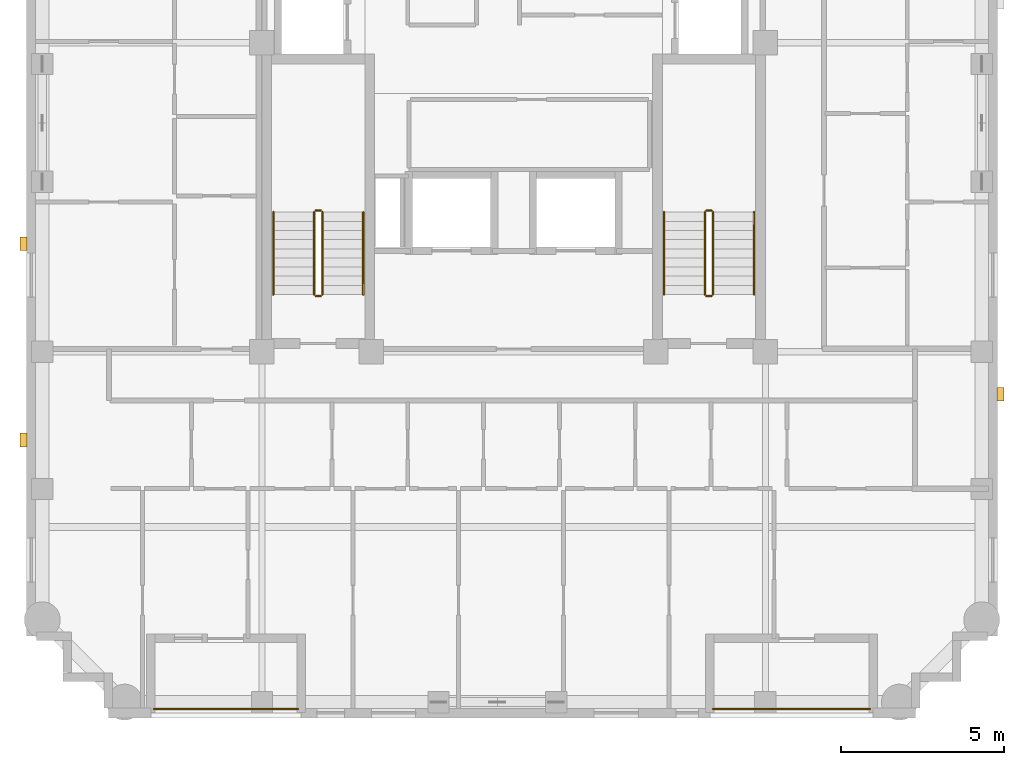
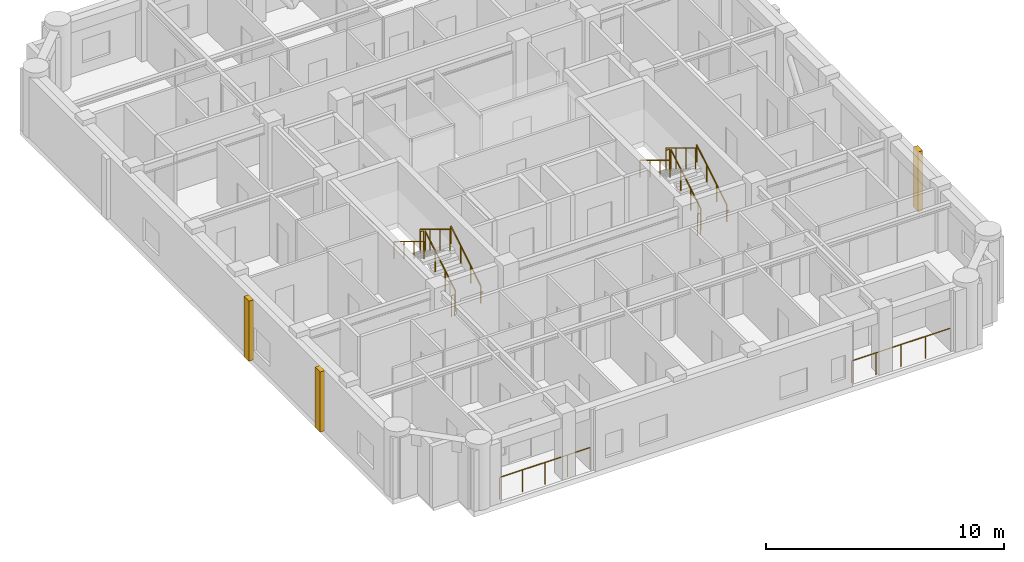
# One storey, part 10 of 11: 14 railings, 3 coverings.
"""IFC4 building model written with IfcOpenShell, lengths in metres."""

from ifc_helpers import new_model, si_unit, derived_unit, direction, frame, origin, origin_2d, place, context, subcontext, project, spatial, rectangle, circle, extrude, material, layer, layer_set, type_object, element, save


model = new_model("IFC4")

# Units and contexts
model_context = context("Model", 3, precision=1e-05, world=origin(), true_north=direction((0.0, 1.0)))
body_context = subcontext(model_context, "Body", "Model", "MODEL_VIEW")
ifc_project = project(units=[si_unit("LENGTHUNIT", "METRE"), si_unit("AREAUNIT", "SQUARE_METRE"), si_unit("VOLUMEUNIT", "CUBIC_METRE"), si_unit("PLANEANGLEUNIT", "RADIAN"), si_unit("MASSUNIT", "GRAM", prefix="KILO"), derived_unit("THERMALTRANSMITTANCEUNIT", [(si_unit("MASSUNIT", "GRAM", prefix="KILO"), 1), (si_unit("TIMEUNIT", "SECOND"), -3), (si_unit("THERMODYNAMICTEMPERATUREUNIT", "KELVIN"), -1)])], contexts=[model_context])

# Site, building, storey
site_placement = place(None, origin())
site = spatial("IfcSite", under=ifc_project, at=site_placement, CompositionType="ELEMENT")
building_placement = place(site_placement, origin())
building = spatial("IfcBuilding", under=site, at=building_placement, Name="Korrvale Station Residences", CompositionType="ELEMENT")
storey_placement = place(building_placement, frame((0.0, 0.0, 224.10009765625)))
storey = spatial("IfcBuildingStorey", under=building, at=storey_placement, Name="L65", CompositionType="ELEMENT", Elevation=224.10009765625)

# Coverings
ifc_material_1 = material(Name="Architectural precast concrete C45/55", Category="concrete")
ifc_layer = layer(ifc_material_1, 0.219970703125, Name="Architectural precast concrete C45/55")
ifc_layer_set = layer_set([ifc_layer], Name="Architectural precast concrete C45/55")
covering_type = type_object("IfcCoveringType", Name="COV-PIER-400", PredefinedType="CLADDING", material=ifc_layer_set)
for number, where, z_axis, x_axis, name in (
    (1, (10.510009765625, 12.300048828125, 0.02490234375), (0.0, 0.0, 1.0), (0.0, 1.0, 0.0), "L65 Architectural Precast Facade Pier 02"),
    (2, (10.510009765625, 18.300048828125, 0.02490234375), (0.0, 0.0, 1.0), (0.0, 1.0, 0.0), "L65 Architectural Precast Facade Pier 03"),
    (3, (40.389892578125, 13.699951171875, 0.02490234375), (0.0, 0.0, 1.0), (0.0, 1.0, 0.0), "L65 Architectural Precast Facade Pier 07"),
):
    element("IfcCovering", number, at=place(storey_placement, frame(where, z_axis=z_axis, x_axis=x_axis)), inside=storey, type_object=covering_type, Name=name, PredefinedType="CLADDING", context=body_context, shape_type="SweptSolid", body=[
        extrude(rectangle(XDim=0.419921875, YDim=0.219970703125, at=origin_2d()), origin(), (0.0, 0.0, 1.0), 3.090087890625),
    ])

# Railings
ifc_material_2 = material(Name="Powder-coated aluminium picket loggia guard", Category="aluminium")
railing_type_1 = type_object("IfcRailingType", Name="RLG-BAL-1150", PredefinedType="GUARDRAIL", material=ifc_material_2)
railing_1_placement = place(storey_placement, frame((31.60009765625, 4.070068359375, 0.0)))
element("IfcRailing", 4, at=railing_1_placement, inside=storey, type_object=railing_type_1, Name="L65 Recessed Loggia Guardrail BAL-L65-S2", PredefinedType="GUARDRAIL", context=body_context, shape_type="SweptSolid", body=[
    extrude(circle(Radius=0.02392578125, at=origin_2d()), frame((0.0, 0.0, 1.1259765625), z_axis=(1.0, 0.0, 0.0), x_axis=(0.0, 1.0, 0.0)), (0.0, 0.0, 1.0), 4.7998046875),
    extrude(circle(Radius=0.02099609375, at=origin_2d()), origin(), (0.0, 0.0, 1.0), 1.101806640625),
    extrude(circle(Radius=0.02099609375, at=origin_2d()), frame((1.199951171875, 0.0, 0.0)), (0.0, 0.0, 1.0), 1.101806640625),
    extrude(circle(Radius=0.02099609375, at=origin_2d()), frame((2.39990234375, 0.0, 0.0)), (0.0, 0.0, 1.0), 1.101806640625),
    extrude(circle(Radius=0.02099609375, at=origin_2d()), frame((3.599853515625, 0.0, 0.0)), (0.0, 0.0, 1.0), 1.101806640625),
    extrude(circle(Radius=0.02099609375, at=origin_2d()), frame((4.7998046875, 0.0, 0.0)), (0.0, 0.0, 1.0), 1.101806640625),
])
railing_2_placement = place(storey_placement, frame((14.5, 4.070068359375, 0.0)))
element("IfcRailing", 5, at=railing_2_placement, inside=storey, type_object=railing_type_1, Name="L65 Recessed Loggia Guardrail BAL-L65-S1", PredefinedType="GUARDRAIL", context=body_context, shape_type="SweptSolid", body=[
    extrude(circle(Radius=0.02392578125, at=origin_2d()), frame((0.0, 0.0, 1.1259765625), z_axis=(1.0, 0.0, 0.0), x_axis=(0.0, 1.0, 0.0)), (0.0, 0.0, 1.0), 4.39990234375),
    extrude(circle(Radius=0.02099609375, at=origin_2d()), origin(), (0.0, 0.0, 1.0), 1.101806640625),
    extrude(circle(Radius=0.02099609375, at=origin_2d()), frame((1.10009765625, 0.0, 0.0)), (0.0, 0.0, 1.0), 1.101806640625),
    extrude(circle(Radius=0.02099609375, at=origin_2d()), frame((2.199951171875, 0.0, 0.0)), (0.0, 0.0, 1.0), 1.101806640625),
    extrude(circle(Radius=0.02099609375, at=origin_2d()), frame((3.2998046875, 0.0, 0.0)), (0.0, 0.0, 1.0), 1.101806640625),
    extrude(circle(Radius=0.02099609375, at=origin_2d()), frame((4.39990234375, 0.0, 0.0)), (0.0, 0.0, 1.0), 1.101806640625),
])
ifc_material_3 = material(Name="Brushed stainless-steel continuous stair handrail", Category="steel")
railing_type_2 = type_object("IfcRailingType", Name="RLG-SHND-900", PredefinedType="HANDRAIL", material=ifc_material_3)
railing_3_placement = place(storey_placement, frame((20.89990234375, 16.75, 0.169921875)))
element("IfcRailing", 6, at=railing_3_placement, inside=storey, type_object=railing_type_2, Name="L65 ST-1 stair handrail 1", PredefinedType="HANDRAIL", context=body_context, shape_type="SweptSolid", body=[
    extrude(circle(Radius=0.02392578125, at=origin_2d()), frame((0.0, 0.0, 0.8759765625), z_axis=(0.0, 0.85478489116, 0.518982456201), x_axis=(-1.0, 0.0, 0.0)), (0.0, 0.0, 1.0), 2.9482421875),
    extrude(circle(Radius=0.02099609375, at=origin_2d()), origin(), (0.0, 0.0, 1.0), 0.851806640625),
    extrude(circle(Radius=0.02099609375, at=origin_2d()), frame((0.0, 0.840087890625, 0.510009765625)), (0.0, 0.0, 1.0), 0.851806640625),
    extrude(circle(Radius=0.02099609375, at=origin_2d()), frame((0.0, 1.679931640625, 1.02001953125)), (0.0, 0.0, 1.0), 0.851806640625),
    extrude(circle(Radius=0.02099609375, at=origin_2d()), frame((0.0, 2.52001953125, 1.530029296875)), (0.0, 0.0, 1.0), 0.851806640625),
])
railing_4_placement = place(storey_placement, frame((18.14990234375, 19.27001953125, 1.869873046875)))
element("IfcRailing", 7, at=railing_4_placement, inside=storey, type_object=railing_type_2, Name="L65 ST-1 stair handrail 2", PredefinedType="HANDRAIL", context=body_context, shape_type="SweptSolid", body=[
    extrude(circle(Radius=0.02392578125, at=origin_2d()), frame((0.0, 0.0, 0.8759765625), z_axis=(0.0, -0.85478489116, 0.518982456201), x_axis=(1.0, 0.0, 0.0)), (0.0, 0.0, 1.0), 2.9482421875),
    extrude(circle(Radius=0.02099609375, at=origin_2d()), origin(), (0.0, 0.0, 1.0), 0.851806640625),
    extrude(circle(Radius=0.02099609375, at=origin_2d()), frame((0.0, -0.840087890625, 0.510009765625)), (0.0, 0.0, 1.0), 0.851806640625),
    extrude(circle(Radius=0.02099609375, at=origin_2d()), frame((0.0, -1.679931640625, 1.02001953125)), (0.0, 0.0, 1.0), 0.851806640625),
    extrude(circle(Radius=0.02099609375, at=origin_2d()), frame((0.0, -2.52001953125, 1.530029296875)), (0.0, 0.0, 1.0), 0.851806640625),
])
railing_5_placement = place(storey_placement, frame((32.85009765625, 16.75, 0.169921875)))
element("IfcRailing", 8, at=railing_5_placement, inside=storey, type_object=railing_type_2, Name="L65 ST-2 stair handrail 1", PredefinedType="HANDRAIL", context=body_context, shape_type="SweptSolid", body=[
    extrude(circle(Radius=0.02392578125, at=origin_2d()), frame((0.0, 0.0, 0.8759765625), z_axis=(0.0, 0.85478489116, 0.518982456201), x_axis=(-1.0, 0.0, 0.0)), (0.0, 0.0, 1.0), 2.9482421875),
    extrude(circle(Radius=0.02099609375, at=origin_2d()), origin(), (0.0, 0.0, 1.0), 0.851806640625),
    extrude(circle(Radius=0.02099609375, at=origin_2d()), frame((0.0, 0.840087890625, 0.510009765625)), (0.0, 0.0, 1.0), 0.851806640625),
    extrude(circle(Radius=0.02099609375, at=origin_2d()), frame((0.0, 1.679931640625, 1.02001953125)), (0.0, 0.0, 1.0), 0.851806640625),
    extrude(circle(Radius=0.02099609375, at=origin_2d()), frame((0.0, 2.52001953125, 1.530029296875)), (0.0, 0.0, 1.0), 0.851806640625),
])
railing_6_placement = place(storey_placement, frame((30.10009765625, 19.27001953125, 1.869873046875)))
element("IfcRailing", 9, at=railing_6_placement, inside=storey, type_object=railing_type_2, Name="L65 ST-2 stair handrail 2", PredefinedType="HANDRAIL", context=body_context, shape_type="SweptSolid", body=[
    extrude(circle(Radius=0.02392578125, at=origin_2d()), frame((0.0, 0.0, 0.8759765625), z_axis=(0.0, -0.85478489116, 0.518982456201), x_axis=(1.0, 0.0, 0.0)), (0.0, 0.0, 1.0), 2.9482421875),
    extrude(circle(Radius=0.02099609375, at=origin_2d()), origin(), (0.0, 0.0, 1.0), 0.851806640625),
    extrude(circle(Radius=0.02099609375, at=origin_2d()), frame((0.0, -0.840087890625, 0.510009765625)), (0.0, 0.0, 1.0), 0.851806640625),
    extrude(circle(Radius=0.02099609375, at=origin_2d()), frame((0.0, -1.679931640625, 1.02001953125)), (0.0, 0.0, 1.0), 0.851806640625),
    extrude(circle(Radius=0.02099609375, at=origin_2d()), frame((0.0, -2.52001953125, 1.530029296875)), (0.0, 0.0, 1.0), 0.851806640625),
])
ifc_material_4 = material(Name="Galvanised painted tubular steel stair guard", Category="steel")
railing_type_3 = type_object("IfcRailingType", Name="RLG-STR-1100", PredefinedType="GUARDRAIL", material=ifc_material_4)
railing_7_placement = place(storey_placement, frame((19.64990234375, 16.75, 0.169921875)))
element("IfcRailing", 10, at=railing_7_placement, inside=storey, type_object=railing_type_3, Name="L65 ST-1 stair guard 1", PredefinedType="GUARDRAIL", context=body_context, shape_type="SweptSolid", body=[
    extrude(circle(Radius=0.02392578125, at=origin_2d()), frame((0.0, 0.0, 1.076171875), z_axis=(0.0, 0.85478489116, 0.518982456201), x_axis=(-1.0, 0.0, 0.0)), (0.0, 0.0, 1.0), 2.9482421875),
    extrude(circle(Radius=0.02099609375, at=origin_2d()), origin(), (0.0, 0.0, 1.0), 1.052001953125),
    extrude(circle(Radius=0.02099609375, at=origin_2d()), frame((0.0, 0.840087890625, 0.510009765625)), (0.0, 0.0, 1.0), 1.052001953125),
    extrude(circle(Radius=0.02099609375, at=origin_2d()), frame((0.0, 1.679931640625, 1.02001953125)), (0.0, 0.0, 1.0), 1.052001953125),
    extrude(circle(Radius=0.02099609375, at=origin_2d()), frame((0.0, 2.52001953125, 1.530029296875)), (0.0, 0.0, 1.0), 1.052001953125),
])
railing_8_placement = place(storey_placement, frame((19.60009765625, 19.320068359375, 1.699951171875)))
element("IfcRailing", 11, at=railing_8_placement, inside=storey, type_object=railing_type_3, Name="L65 ST-1 stair guard 2", PredefinedType="GUARDRAIL", context=body_context, shape_type="SweptSolid", body=[
    extrude(circle(Radius=0.02392578125, at=origin_2d()), frame((0.0, 0.0, 1.076171875), z_axis=(-1.0, 0.0, 0.0), x_axis=(0.0, -1.0, 0.0)), (0.0, 0.0, 1.0), 0.150146484375),
    extrude(circle(Radius=0.02099609375, at=origin_2d()), origin(), (0.0, 0.0, 1.0), 1.052001953125),
    extrude(circle(Radius=0.02099609375, at=origin_2d()), frame((-0.150146484375, 0.0, 0.0)), (0.0, 0.0, 1.0), 1.052001953125),
])
railing_9_placement = place(storey_placement, frame((19.39990234375, 19.27001953125, 1.869873046875)))
element("IfcRailing", 12, at=railing_9_placement, inside=storey, type_object=railing_type_3, Name="L65 ST-1 stair guard 3", PredefinedType="GUARDRAIL", context=body_context, shape_type="SweptSolid", body=[
    extrude(circle(Radius=0.02392578125, at=origin_2d()), frame((0.0, 0.0, 1.076171875), z_axis=(0.0, -0.85478489116, 0.518982456201), x_axis=(1.0, 0.0, 0.0)), (0.0, 0.0, 1.0), 2.9482421875),
    extrude(circle(Radius=0.02099609375, at=origin_2d()), origin(), (0.0, 0.0, 1.0), 1.052001953125),
    extrude(circle(Radius=0.02099609375, at=origin_2d()), frame((0.0, -0.840087890625, 0.510009765625)), (0.0, 0.0, 1.0), 1.052001953125),
    extrude(circle(Radius=0.02099609375, at=origin_2d()), frame((0.0, -1.679931640625, 1.02001953125)), (0.0, 0.0, 1.0), 1.052001953125),
    extrude(circle(Radius=0.02099609375, at=origin_2d()), frame((0.0, -2.52001953125, 1.530029296875)), (0.0, 0.0, 1.0), 1.052001953125),
])
railing_10_placement = place(storey_placement, frame((19.60009765625, 16.699951171875, 0.0)))
element("IfcRailing", 13, at=railing_10_placement, inside=storey, type_object=railing_type_3, Name="L65 ST-1 stair guard 4", PredefinedType="GUARDRAIL", context=body_context, shape_type="SweptSolid", body=[
    extrude(circle(Radius=0.02392578125, at=origin_2d()), frame((0.0, 0.0, 1.076171875), z_axis=(-1.0, 0.0, 0.0), x_axis=(0.0, -1.0, 0.0)), (0.0, 0.0, 1.0), 0.150146484375),
    extrude(circle(Radius=0.02099609375, at=origin_2d()), origin(), (0.0, 0.0, 1.0), 1.052001953125),
    extrude(circle(Radius=0.02099609375, at=origin_2d()), frame((-0.150146484375, 0.0, 0.0)), (0.0, 0.0, 1.0), 1.052001953125),
])
railing_11_placement = place(storey_placement, frame((31.60009765625, 16.75, 0.169921875)))
element("IfcRailing", 14, at=railing_11_placement, inside=storey, type_object=railing_type_3, Name="L65 ST-2 stair guard 1", PredefinedType="GUARDRAIL", context=body_context, shape_type="SweptSolid", body=[
    extrude(circle(Radius=0.02392578125, at=origin_2d()), frame((0.0, 0.0, 1.076171875), z_axis=(0.0, 0.85478489116, 0.518982456201), x_axis=(-1.0, 0.0, 0.0)), (0.0, 0.0, 1.0), 2.9482421875),
    extrude(circle(Radius=0.02099609375, at=origin_2d()), origin(), (0.0, 0.0, 1.0), 1.052001953125),
    extrude(circle(Radius=0.02099609375, at=origin_2d()), frame((0.0, 0.840087890625, 0.510009765625)), (0.0, 0.0, 1.0), 1.052001953125),
    extrude(circle(Radius=0.02099609375, at=origin_2d()), frame((0.0, 1.679931640625, 1.02001953125)), (0.0, 0.0, 1.0), 1.052001953125),
    extrude(circle(Radius=0.02099609375, at=origin_2d()), frame((0.0, 2.52001953125, 1.530029296875)), (0.0, 0.0, 1.0), 1.052001953125),
])
railing_12_placement = place(storey_placement, frame((31.550048828125, 19.320068359375, 1.699951171875)))
element("IfcRailing", 15, at=railing_12_placement, inside=storey, type_object=railing_type_3, Name="L65 ST-2 stair guard 2", PredefinedType="GUARDRAIL", context=body_context, shape_type="SweptSolid", body=[
    extrude(circle(Radius=0.02392578125, at=origin_2d()), frame((0.0, 0.0, 1.076171875), z_axis=(-1.0, 0.0, 0.0), x_axis=(0.0, -1.0, 0.0)), (0.0, 0.0, 1.0), 0.150146484375),
    extrude(circle(Radius=0.02099609375, at=origin_2d()), origin(), (0.0, 0.0, 1.0), 1.052001953125),
    extrude(circle(Radius=0.02099609375, at=origin_2d()), frame((-0.150146484375, 0.0, 0.0)), (0.0, 0.0, 1.0), 1.052001953125),
])
railing_13_placement = place(storey_placement, frame((31.35009765625, 19.27001953125, 1.869873046875)))
element("IfcRailing", 16, at=railing_13_placement, inside=storey, type_object=railing_type_3, Name="L65 ST-2 stair guard 3", PredefinedType="GUARDRAIL", context=body_context, shape_type="SweptSolid", body=[
    extrude(circle(Radius=0.02392578125, at=origin_2d()), frame((0.0, 0.0, 1.076171875), z_axis=(0.0, -0.85478489116, 0.518982456201), x_axis=(1.0, 0.0, 0.0)), (0.0, 0.0, 1.0), 2.9482421875),
    extrude(circle(Radius=0.02099609375, at=origin_2d()), origin(), (0.0, 0.0, 1.0), 1.052001953125),
    extrude(circle(Radius=0.02099609375, at=origin_2d()), frame((0.0, -0.840087890625, 0.510009765625)), (0.0, 0.0, 1.0), 1.052001953125),
    extrude(circle(Radius=0.02099609375, at=origin_2d()), frame((0.0, -1.679931640625, 1.02001953125)), (0.0, 0.0, 1.0), 1.052001953125),
    extrude(circle(Radius=0.02099609375, at=origin_2d()), frame((0.0, -2.52001953125, 1.530029296875)), (0.0, 0.0, 1.0), 1.052001953125),
])
railing_14_placement = place(storey_placement, frame((31.550048828125, 16.699951171875, 0.0)))
element("IfcRailing", 17, at=railing_14_placement, inside=storey, type_object=railing_type_3, Name="L65 ST-2 stair guard 4", PredefinedType="GUARDRAIL", context=body_context, shape_type="SweptSolid", body=[
    extrude(circle(Radius=0.02392578125, at=origin_2d()), frame((0.0, 0.0, 1.076171875), z_axis=(-1.0, 0.0, 0.0), x_axis=(0.0, -1.0, 0.0)), (0.0, 0.0, 1.0), 0.150146484375),
    extrude(circle(Radius=0.02099609375, at=origin_2d()), origin(), (0.0, 0.0, 1.0), 1.052001953125),
    extrude(circle(Radius=0.02099609375, at=origin_2d()), frame((-0.150146484375, 0.0, 0.0)), (0.0, 0.0, 1.0), 1.052001953125),
])

save(model, "model.ifc")
